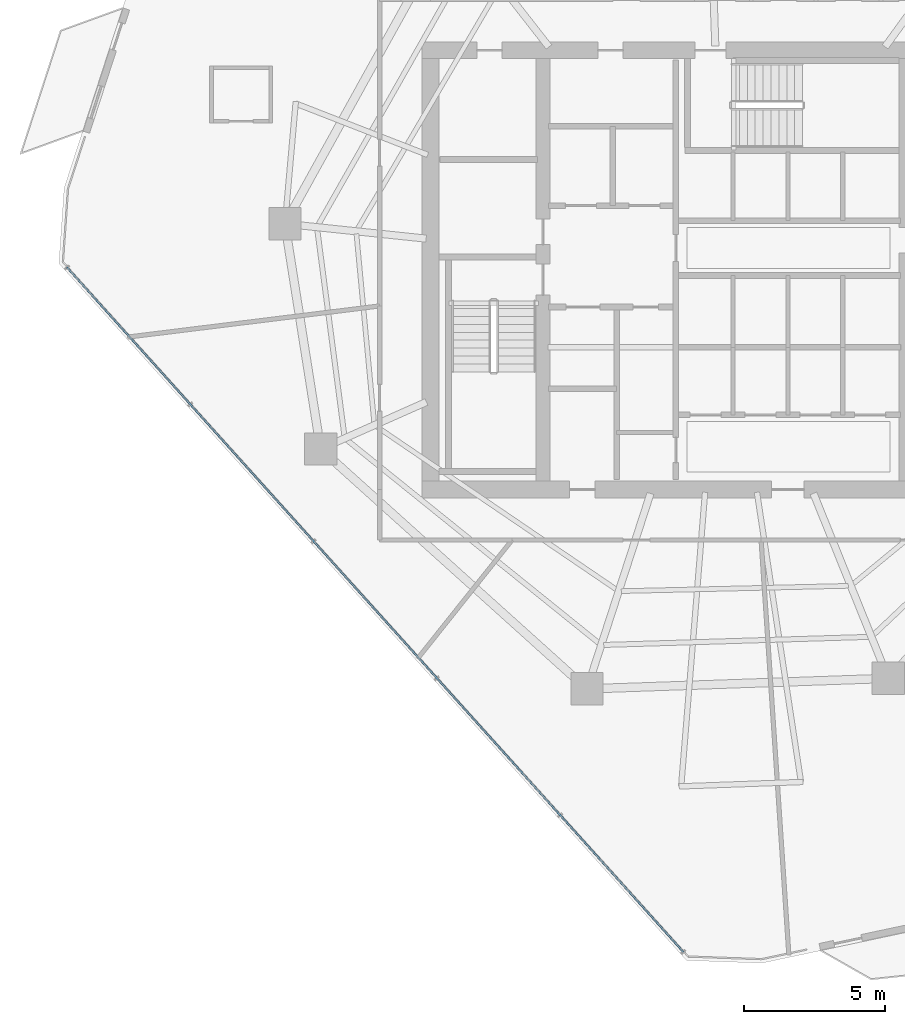
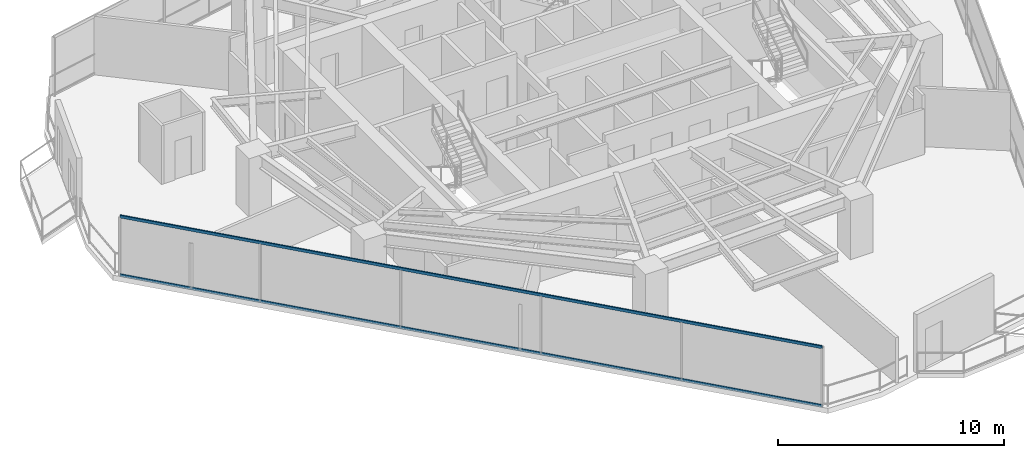
# One storey, part 3 of 27: 2 members, 1 element without a shape of its own.
"""IFC4 building model written with IfcOpenShell, lengths in metres."""

from ifc_helpers import new_model, si_unit, direction, frame, origin, origin_2d, place, context, subcontext, project, spatial, hollow_rectangle, extrude, material, layer, layer_set, material_profile, profile_set, type_object, element, aggregate, save


model = new_model("IFC4")

# Units and contexts
model_context = context("Model", 3, precision=1e-05, world=origin(), true_north=direction((0.0, 1.0)))
body_context = subcontext(model_context, "Body", "Model", "MODEL_VIEW")
ifc_project = project(units=[si_unit("LENGTHUNIT", "METRE"), si_unit("AREAUNIT", "SQUARE_METRE"), si_unit("VOLUMEUNIT", "CUBIC_METRE"), si_unit("PLANEANGLEUNIT", "RADIAN"), si_unit("MASSUNIT", "GRAM", prefix="KILO")], contexts=[model_context])

# Site, building, storey
site_placement = place(None, origin())
site = spatial("IfcSite", under=ifc_project, at=site_placement, CompositionType="ELEMENT")
building_placement = place(site_placement, origin())
building = spatial("IfcBuilding", under=site, at=building_placement, Name="Qarnah Convention Tower", CompositionType="ELEMENT")
storey_placement = place(building_placement, frame((0.0, 0.0, 110.85009765625)))
storey = spatial("IfcBuildingStorey", under=building, at=storey_placement, Name="L29", CompositionType="ELEMENT", Elevation=110.85009765625)

# Curtain wall, members
ifc_material_1 = material(Name="Tempered Low-E dark glass", Category="glass")
ifc_layer = layer(ifc_material_1, 0.169921875)
ifc_layer_set = layer_set([ifc_layer], Name="Tempered Low-E dark glass")
curtain_wall_type = type_object("IfcCurtainWallType", Name="CWS-02", PredefinedType="NOTDEFINED", material=ifc_layer_set)
curtain_wall_placement = place(storey_placement, origin())
curtain_wall = element("IfcCurtainWall", 1, at=curtain_wall_placement, inside=storey, type_object=curtain_wall_type, Name="L29 unitised curtain wall CW-L29-F3", PredefinedType="NOTDEFINED")
ifc_material_2 = material(Name="Black anodised aluminium", Category="aluminium")
ifc_material_profile = material_profile(ifc_material_2, hollow_rectangle(XDim=0.06494140625, YDim=0.14990234375, WallThickness=0.00390625, at=origin_2d()), Name="TRN-65X150")
ifc_profile_set = profile_set([ifc_material_profile], Name="Black anodised aluminium")
member_type = type_object("IfcMemberType", Name="TRN-T2", PredefinedType="USERDEFINED", material=ifc_profile_set)
member_1_placement = place(storey_placement, frame((35.785888671875, 2.173095703125, 0.0), z_axis=(-0.669119737939, 0.743154611302, 0.0), x_axis=(-0.743154611302, -0.669119737939, 0.0)))
member_1 = element("IfcMember", 2, at=member_1_placement, type_object=member_type, Name="CW-L29-F3 transom 1", ObjectType="TRANSOM", PredefinedType="USERDEFINED", context=body_context, shape_type="SweptSolid", body=[
    extrude(hollow_rectangle(XDim=0.06494140625, YDim=0.14990234375, WallThickness=0.00390625, at=origin_2d()), origin(), (0.0, 0.0, 1.0), 32.7158203125),
])
member_2_placement = place(storey_placement, frame((35.785888671875, 2.173095703125, 3.169921875), z_axis=(-0.669119737939, 0.743154611302, 0.0), x_axis=(-0.743154611302, -0.669119737939, 0.0)))
member_2 = element("IfcMember", 3, at=member_2_placement, type_object=member_type, Name="CW-L29-F3 transom 2", ObjectType="TRANSOM", PredefinedType="USERDEFINED", context=body_context, shape_type="SweptSolid", body=[
    extrude(hollow_rectangle(XDim=0.06494140625, YDim=0.14990234375, WallThickness=0.00390625, at=origin_2d()), origin(), (0.0, 0.0, 1.0), 32.7158203125),
])
aggregate(curtain_wall, [member_1, member_2])

save(model, "model.ifc")
